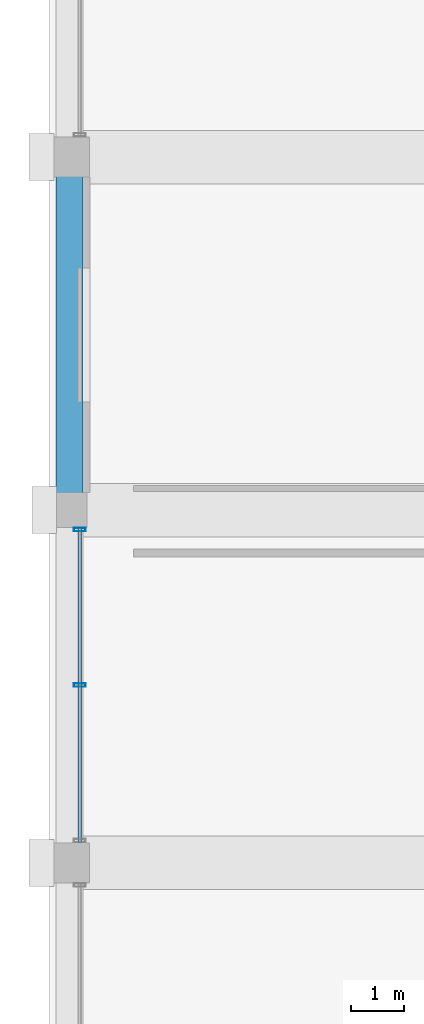
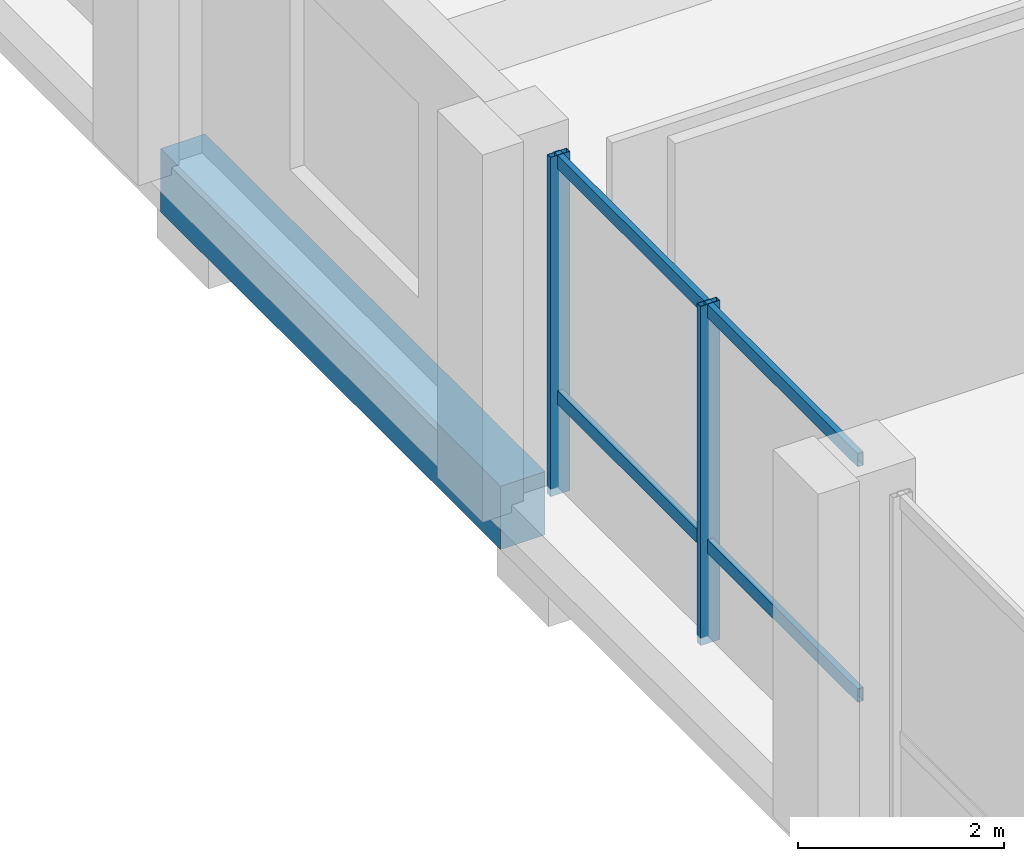
# One storey, part 15 of 64: 4 members, 1 beam, 1 element without a shape of its own.
"""IFC4 building model written with IfcOpenShell, lengths in metres."""

from ifc_helpers import new_model, si_unit, direction, frame, origin, origin_2d, place, context, subcontext, project, spatial, rectangle, hollow_rectangle, extrude, material, material_profile, profile_set, type_object, element, aggregate, save


model = new_model("IFC4")

# Units and contexts
model_context = context("Model", 3, precision=1e-05, world=origin(), true_north=direction((0.0, 1.0)))
body_context = subcontext(model_context, "Body", "Model", "MODEL_VIEW")
ifc_project = project(units=[si_unit("LENGTHUNIT", "METRE"), si_unit("AREAUNIT", "SQUARE_METRE"), si_unit("VOLUMEUNIT", "CUBIC_METRE"), si_unit("PLANEANGLEUNIT", "RADIAN"), si_unit("MASSUNIT", "GRAM", prefix="KILO")], contexts=[model_context])

# Site, building, storey
site_placement = place(None, origin())
site = spatial("IfcSite", under=ifc_project, at=site_placement, CompositionType="ELEMENT")
building_placement = place(site_placement, origin())
building = spatial("IfcBuilding", under=site, at=building_placement, Name="Akrevak Sports Hall", CompositionType="ELEMENT")
storey_placement = place(building_placement, frame((0.0, 0.0, 4.60009765625)))
storey = spatial("IfcBuildingStorey", under=building, at=storey_placement, Name="L01", CompositionType="ELEMENT", Elevation=4.60009765625)

# Curtain wall, members
ifc_material_1 = material(Name="Anodized Bronze Aluminium & Low-E Glass", Category="aluminium")
curtain_wall_type = type_object("IfcCurtainWallType", Name="ARC-CW-POD-64x44", PredefinedType="NOTDEFINED", material=ifc_material_1)
curtain_wall_placement = place(storey_placement, origin())
curtain_wall = element("IfcCurtainWall", 1, at=curtain_wall_placement, inside=storey, type_object=curtain_wall_type, Name="Curtain Wall CW-L01-W03", PredefinedType="NOTDEFINED")
ifc_material_2 = material(Name="Anodized Bronze Aluminium", Category="aluminium")
ifc_material_profile_1 = material_profile(ifc_material_2, hollow_rectangle(XDim=0.06494140625, YDim=0.219970703125, WallThickness=0.00439453125, at=origin_2d()), Name="CWM 65x220", Category="aluminium")
ifc_profile_set_1 = profile_set([ifc_material_profile_1], Name="Anodized Bronze Aluminium")
member_type_1 = type_object("IfcMemberType", Name="ARC-CWM-70x160", PredefinedType="MULLION", material=ifc_profile_set_1)
member_1_placement = place(storey_placement, frame((0.18994140625, 35.034912109375, 0.0), z_axis=(0.0, 0.0, 1.0), x_axis=(0.0, -1.0, 0.0)))
member_1 = element("IfcMember", 2, at=member_1_placement, type_object=member_type_1, Name="Curtain Wall Mullion CW-L01-W03-M1", PredefinedType="MULLION", context=body_context, shape_type="SweptSolid", body=[
    extrude(hollow_rectangle(XDim=0.06494140625, YDim=0.219970703125, WallThickness=0.00439453125, at=origin_2d()), origin(), (0.0, 0.0, 1.0), 4.02001953125),
])
member_2_placement = place(storey_placement, frame((0.18994140625, 32.125, 0.0), z_axis=(0.0, 0.0, 1.0), x_axis=(0.0, -1.0, 0.0)))
member_2 = element("IfcMember", 3, at=member_2_placement, type_object=member_type_1, Name="Curtain Wall Mullion CW-L01-W03-M2", PredefinedType="MULLION", context=body_context, shape_type="SweptSolid", body=[
    extrude(hollow_rectangle(XDim=0.06494140625, YDim=0.219970703125, WallThickness=0.00439453125, at=origin_2d()), origin(), (0.0, 0.0, 1.0), 4.02001953125),
])
ifc_material_profile_2 = material_profile(ifc_material_2, hollow_rectangle(XDim=0.06494140625, YDim=0.159912109375, WallThickness=0.00390625, at=origin_2d()), Name="CWT 65x160", Category="aluminium")
ifc_profile_set_2 = profile_set([ifc_material_profile_2], Name="Anodized Bronze Aluminium")
member_type_2 = type_object("IfcMemberType", Name="ARC-CWT-70x130", PredefinedType="USERDEFINED", material=ifc_profile_set_2)
member_3_placement = place(storey_placement, frame((0.18994140625, 35.074951171875, 1.14990234375), z_axis=(0.0, -1.0, 0.0), x_axis=(1.0, 0.0, 0.0)))
member_3 = element("IfcMember", 4, at=member_3_placement, type_object=member_type_2, Name="Curtain Wall Transom CW-L01-W03-T1", ObjectType="TRANSOM", PredefinedType="USERDEFINED", context=body_context, shape_type="SweptSolid", body=[
    extrude(hollow_rectangle(XDim=0.06494140625, YDim=0.159912109375, WallThickness=0.00390625, at=origin_2d()), origin(), (0.0, 0.0, 1.0), 5.89990234375),
])
member_4_placement = place(storey_placement, frame((0.18994140625, 35.074951171875, 3.93994140625), z_axis=(0.0, -1.0, 0.0), x_axis=(1.0, 0.0, 0.0)))
member_4 = element("IfcMember", 5, at=member_4_placement, type_object=member_type_2, Name="Curtain Wall Transom CW-L01-W03-T2", ObjectType="TRANSOM", PredefinedType="USERDEFINED", context=body_context, shape_type="SweptSolid", body=[
    extrude(hollow_rectangle(XDim=0.06494140625, YDim=0.159912109375, WallThickness=0.00390625, at=origin_2d()), origin(), (0.0, 0.0, 1.0), 5.89990234375),
])
aggregate(curtain_wall, [member_1, member_2, member_3, member_4])

# Beam
ifc_material_3 = material(Name="Concrete C40/50", Category="concrete")
ifc_material_profile_3 = material_profile(ifc_material_3, rectangle(XDim=0.5, YDim=0.75, at=origin_2d()), Name="BM 500x750", Category="concrete")
ifc_profile_set_3 = profile_set([ifc_material_profile_3], Name="Concrete C40/50")
beam_type = type_object("IfcBeamType", Name="STR-BM-RC500x750", PredefinedType="BEAM", material=ifc_profile_set_3)
beam_placement = place(storey_placement, frame((0.0, 35.39990234375, -0.375), z_axis=(0.0, 1.0, 0.0), x_axis=(-1.0, 0.0, 0.0)))
element("IfcBeam", 6, at=beam_placement, inside=storey, type_object=beam_type, Name="Girder 1/F-G (L01)", PredefinedType="BEAM", context=body_context, shape_type="SweptSolid", body=[
    extrude(rectangle(XDim=0.5, YDim=0.75, at=origin_2d()), origin(), (0.0, 0.0, 1.0), 6.60009765625),
])

save(model, "model.ifc")
